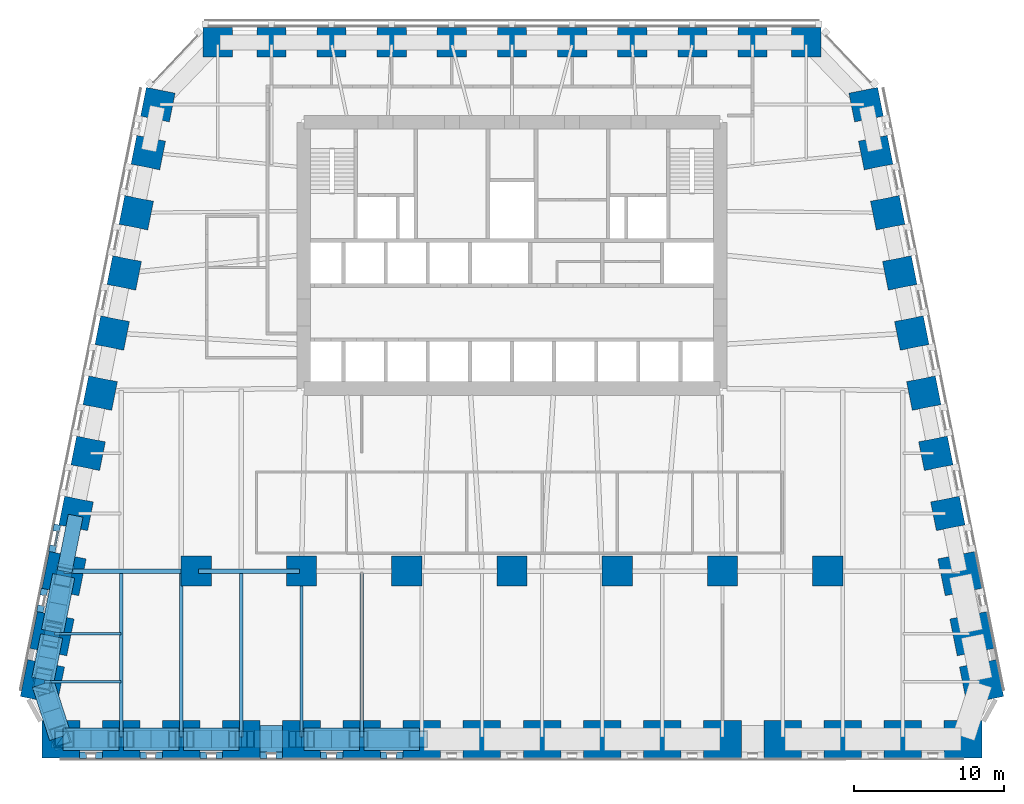
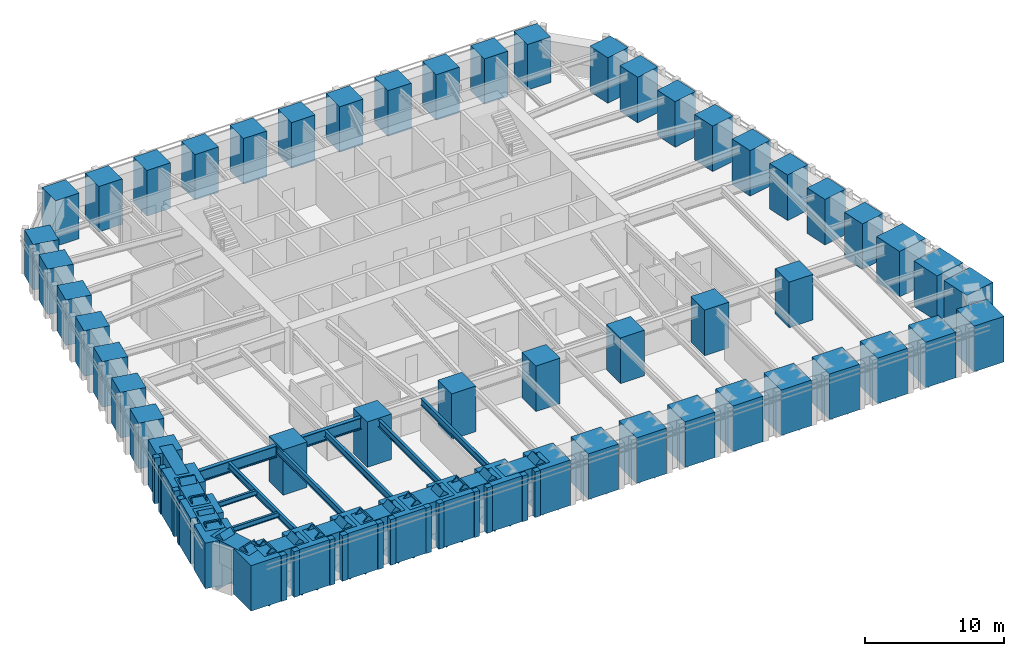
# One storey, part 1 of 16: 56 columns, 34 members, 19 beams, 8 elements without a shape of their own.
"""IFC4 building model written with IfcOpenShell, lengths in metres."""

from ifc_helpers import new_model, si_unit, direction, frame, origin, origin_2d, place, context, subcontext, project, spatial, rectangle, hollow_rectangle, i_section, extrude, material, material_profile, profile_set, type_object, element, aggregate, save


model = new_model("IFC4")

# Units and contexts
model_context = context("Model", 3, precision=1e-05, world=origin(), true_north=direction((0.0, 1.0)))
body_context = subcontext(model_context, "Body", "Model", "MODEL_VIEW")
ifc_project = project(units=[si_unit("LENGTHUNIT", "METRE"), si_unit("AREAUNIT", "SQUARE_METRE"), si_unit("VOLUMEUNIT", "CUBIC_METRE"), si_unit("PLANEANGLEUNIT", "RADIAN"), si_unit("MASSUNIT", "GRAM", prefix="KILO")], contexts=[model_context])

# Site, building, storey
site_placement = place(None, origin())
site = spatial("IfcSite", under=ifc_project, at=site_placement, CompositionType="ELEMENT")
building_placement = place(site_placement, origin())
building = spatial("IfcBuilding", under=site, at=building_placement, Name="Isbrekke Arena Tower", CompositionType="ELEMENT")
storey_placement = place(building_placement, frame((0.0, 0.0, 32.0)))
storey = spatial("IfcBuildingStorey", under=building, at=storey_placement, Name="L05", CompositionType="ELEMENT", Elevation=32.0)

# Columns
ifc_material_1 = material(Name="Concrete B90 (C90/105)", Category="concrete")
ifc_material_profile_1 = material_profile(ifc_material_1, rectangle(XDim=2.0, YDim=2.0, at=origin_2d()), Name="RC 2000x2000")
ifc_profile_set_1 = profile_set([ifc_material_profile_1], Name="Concrete B90 (C90/105)")
column_type_1 = type_object("IfcColumnType", Name="C11 RC 2000 x 2000", PredefinedType="COLUMN", material=ifc_profile_set_1)
for number, where, z_axis, x_axis, name in (
    (1, (-21.0, -6.0, 0.0), (0.0, 0.0, 1.0), (1.0, 0.0, 0.0), "C11 I01"),
    (2, (-14.0, -6.0, 0.0), (0.0, 0.0, 1.0), (1.0, 0.0, 0.0), "C11 I02"),
    (3, (-7.0, -6.0, 0.0), (0.0, 0.0, 1.0), (1.0, 0.0, 0.0), "C11 I03"),
    (4, (0.0, -6.0, 0.0), (0.0, 0.0, 1.0), (1.0, 0.0, 0.0), "C11 I04"),
    (5, (7.0, -6.0, 0.0), (0.0, 0.0, 1.0), (1.0, 0.0, 0.0), "C11 I05"),
    (6, (14.0, -6.0, 0.0), (0.0, 0.0, 1.0), (1.0, 0.0, 0.0), "C11 I06"),
    (7, (21.0, -6.0, 0.0), (0.0, 0.0, 1.0), (1.0, 0.0, 0.0), "C11 I07"),
):
    element("IfcColumn", number, at=place(storey_placement, frame(where, z_axis=z_axis, x_axis=x_axis)), inside=storey, type_object=column_type_1, Name=name, PredefinedType="COLUMN", context=body_context, shape_type="SweptSolid", body=[
        extrude(rectangle(XDim=2.0, YDim=2.0, at=origin_2d()), origin(), (0.0, 0.0, 1.0), 4.0),
    ])
ifc_material_2 = material(Name="Concrete B90 (C90/105)", Category="concrete")
ifc_material_profile_2 = material_profile(ifc_material_2, rectangle(XDim=1.949951171875, YDim=1.949951171875, at=origin_2d()), Name="RC 1950x1950")
ifc_profile_set_2 = profile_set([ifc_material_profile_2], Name="Concrete B90 (C90/105)")
column_type_2 = type_object("IfcColumnType", Name="C2 RC 1950 x 1950", PredefinedType="COLUMN", material=ifc_profile_set_2)
for number, where, z_axis, x_axis, name in (
    (8, (28.990966796875, -2.161865234375, 0.0), (0.0, 0.0, 1.0), (-0.196116135138, 0.980580675691, 0.0), "C2 E04"),
    (9, (28.19091796875, 1.838134765625, 0.0), (0.0, 0.0, 1.0), (-0.196116135138, 0.980580675691, 0.0), "C2 E05"),
    (10, (27.39111328125, 5.838134765625, 0.0), (0.0, 0.0, 1.0), (-0.196116135138, 0.980580675691, 0.0), "C2 E06"),
    (11, (26.591064453125, 9.838134765625, 0.0), (0.0, 0.0, 1.0), (-0.196116135138, 0.980580675691, 0.0), "C2 E07"),
    (12, (25.791015625, 13.838134765625, 0.0), (0.0, 0.0, 1.0), (-0.196116135138, 0.980580675691, 0.0), "C2 E08"),
    (13, (24.990966796875, 17.838134765625, 0.0), (0.0, 0.0, 1.0), (-0.196116135138, 0.980580675691, 0.0), "C2 E09"),
    (14, (24.19091796875, 21.838134765625, 0.0), (0.0, 0.0, 1.0), (-0.196116135138, 0.980580675691, 0.0), "C2 E10"),
    (15, (23.552734375, 25.029296875, 0.0), (0.0, 0.0, 1.0), (-0.196116135138, 0.980580675691, 0.0), "C2 E11"),
    (16, (19.574951171875, 29.175048828125, 0.0), (0.0, 0.0, 1.0), (-1.0, 0.0, 0.0), "C2 N01"),
    (17, (16.0, 29.175048828125, 0.0), (0.0, 0.0, 1.0), (-1.0, 0.0, 0.0), "C2 N02"),
    (18, (12.0, 29.175048828125, 0.0), (0.0, 0.0, 1.0), (-1.0, 0.0, 0.0), "C2 N03"),
    (19, (8.0, 29.175048828125, 0.0), (0.0, 0.0, 1.0), (-1.0, 0.0, 0.0), "C2 N04"),
    (20, (4.0, 29.175048828125, 0.0), (0.0, 0.0, 1.0), (-1.0, 0.0, 0.0), "C2 N05"),
    (21, (0.0, 29.175048828125, 0.0), (0.0, 0.0, 1.0), (-1.0, 0.0, 0.0), "C2 N06"),
    (22, (-4.0, 29.175048828125, 0.0), (0.0, 0.0, 1.0), (-1.0, 0.0, 0.0), "C2 N07"),
    (23, (-8.0, 29.175048828125, 0.0), (0.0, 0.0, 1.0), (-1.0, 0.0, 0.0), "C2 N08"),
    (24, (-12.0, 29.175048828125, 0.0), (0.0, 0.0, 1.0), (-1.0, 0.0, 0.0), "C2 N09"),
    (25, (-16.0, 29.175048828125, 0.0), (0.0, 0.0, 1.0), (-1.0, 0.0, 0.0), "C2 N10"),
    (26, (-19.574951171875, 29.175048828125, 0.0), (0.0, 0.0, 1.0), (-1.0, 0.0, 0.0), "C2 N11"),
    (27, (-23.552734375, 25.029296875, 0.0), (0.0, 0.0, 1.0), (-0.196116135138, -0.980580675691, 0.0), "C2 W01"),
    (28, (-24.19091796875, 21.838134765625, 0.0), (0.0, 0.0, 1.0), (-0.196116135138, -0.980580675691, 0.0), "C2 W02"),
    (29, (-24.990966796875, 17.838134765625, 0.0), (0.0, 0.0, 1.0), (-0.196116135138, -0.980580675691, 0.0), "C2 W03"),
    (30, (-25.791015625, 13.838134765625, 0.0), (0.0, 0.0, 1.0), (-0.196116135138, -0.980580675691, 0.0), "C2 W04"),
    (31, (-26.591064453125, 9.838134765625, 0.0), (0.0, 0.0, 1.0), (-0.196116135138, -0.980580675691, 0.0), "C2 W05"),
    (32, (-27.39111328125, 5.838134765625, 0.0), (0.0, 0.0, 1.0), (-0.196116135138, -0.980580675691, 0.0), "C2 W06"),
    (33, (-28.19091796875, 1.838134765625, 0.0), (0.0, 0.0, 1.0), (-0.196116135138, -0.980580675691, 0.0), "C2 W07"),
    (34, (-28.990966796875, -2.161865234375, 0.0), (0.0, 0.0, 1.0), (-0.196116135138, -0.980580675691, 0.0), "C2 W08"),
):
    element("IfcColumn", number, at=place(storey_placement, frame(where, z_axis=z_axis, x_axis=x_axis)), inside=storey, type_object=column_type_2, Name=name, PredefinedType="COLUMN", context=body_context, shape_type="SweptSolid", body=[
        extrude(rectangle(XDim=1.949951171875, YDim=1.949951171875, at=origin_2d()), origin(), (0.0, 0.0, 1.0), 4.0),
    ])
ifc_material_3 = material(Name="Concrete B90 (C90/105)", Category="concrete")
ifc_material_profile_3 = material_profile(ifc_material_3, rectangle(XDim=2.5, YDim=2.5, at=origin_2d()), Name="RC 2500x2500")
ifc_profile_set_3 = profile_set([ifc_material_profile_3], Name="Concrete B90 (C90/105)")
column_type_3 = type_object("IfcColumnType", Name="C20 RC 2500 x 2500", PredefinedType="COLUMN", material=ifc_profile_set_3)
for number, where, z_axis, x_axis, name in (
    (35, (-30.0, -17.175048828125, 0.0), (0.0, 0.0, 1.0), (1.0, 0.0, 0.0), "C20 S01"),
    (36, (-26.0, -17.175048828125, 0.0), (0.0, 0.0, 1.0), (1.0, 0.0, 0.0), "C20 S02"),
    (37, (-22.0, -17.175048828125, 0.0), (0.0, 0.0, 1.0), (1.0, 0.0, 0.0), "C20 S03"),
    (38, (-18.0, -17.175048828125, 0.0), (0.0, 0.0, 1.0), (1.0, 0.0, 0.0), "C20 S04"),
    (39, (-14.0, -17.175048828125, 0.0), (0.0, 0.0, 1.0), (1.0, 0.0, 0.0), "C20 S05"),
    (40, (-10.0, -17.175048828125, 0.0), (0.0, 0.0, 1.0), (1.0, 0.0, 0.0), "C20 S06"),
    (41, (-6.0, -17.175048828125, 0.0), (0.0, 0.0, 1.0), (1.0, 0.0, 0.0), "C20 S07"),
    (42, (-2.0, -17.175048828125, 0.0), (0.0, 0.0, 1.0), (1.0, 0.0, 0.0), "C20 S08"),
    (43, (2.0, -17.175048828125, 0.0), (0.0, 0.0, 1.0), (1.0, 0.0, 0.0), "C20 S09"),
    (44, (6.0, -17.175048828125, 0.0), (0.0, 0.0, 1.0), (1.0, 0.0, 0.0), "C20 S10"),
    (45, (10.0, -17.175048828125, 0.0), (0.0, 0.0, 1.0), (1.0, 0.0, 0.0), "C20 S11"),
    (46, (14.0, -17.175048828125, 0.0), (0.0, 0.0, 1.0), (1.0, 0.0, 0.0), "C20 S12"),
    (47, (18.0, -17.175048828125, 0.0), (0.0, 0.0, 1.0), (1.0, 0.0, 0.0), "C20 S13"),
    (48, (22.0, -17.175048828125, 0.0), (0.0, 0.0, 1.0), (1.0, 0.0, 0.0), "C20 S14"),
    (49, (26.0, -17.175048828125, 0.0), (0.0, 0.0, 1.0), (1.0, 0.0, 0.0), "C20 S15"),
    (50, (30.0, -17.175048828125, 0.0), (0.0, 0.0, 1.0), (1.0, 0.0, 0.0), "C20 S16"),
    (51, (31.229248046875, -13.352783203125, 0.0), (0.0, 0.0, 1.0), (-0.196116135138, 0.980580675691, 0.0), "C20 E01"),
    (52, (30.591064453125, -10.161865234375, 0.0), (0.0, 0.0, 1.0), (-0.196116135138, 0.980580675691, 0.0), "C20 E02"),
    (53, (29.791015625, -6.161865234375, 0.0), (0.0, 0.0, 1.0), (-0.196116135138, 0.980580675691, 0.0), "C20 E03"),
    (54, (-29.791015625, -6.161865234375, 0.0), (0.0, 0.0, 1.0), (-0.196116135138, -0.980580675691, 0.0), "C20 W09"),
    (55, (-30.591064453125, -10.161865234375, 0.0), (0.0, 0.0, 1.0), (-0.196116135138, -0.980580675691, 0.0), "C20 W10"),
    (56, (-31.229248046875, -13.352783203125, 0.0), (0.0, 0.0, 1.0), (-0.196116135138, -0.980580675691, 0.0), "C20 W11"),
):
    element("IfcColumn", number, at=place(storey_placement, frame(where, z_axis=z_axis, x_axis=x_axis)), inside=storey, type_object=column_type_3, Name=name, PredefinedType="COLUMN", context=body_context, shape_type="SweptSolid", body=[
        extrude(rectangle(XDim=2.5, YDim=2.5, at=origin_2d()), origin(), (0.0, 0.0, 1.0), 4.0),
    ])

# Beams
ifc_material_4 = material(Name="Steel S355", Category="steel")
ifc_material_profile_4 = material_profile(ifc_material_4, i_section(OverallWidth=0.219970703125, OverallDepth=0.60009765625, WebThickness=0.011962890625, FlangeThickness=0.01904296875, FilletRadius=0.02392578125, at=origin_2d()), Name="IPE 600")
ifc_profile_set_4 = profile_set([ifc_material_profile_4], Name="Steel S355")
beam_type_1 = type_object("IfcBeamType", Name="B1 IPE 600", PredefinedType="BEAM", material=ifc_profile_set_4)
for number, where, z_axis, x_axis, name in (
    (57, (-26.0, -17.02490234375, 3.550048828125), (0.0, 1.0, 0.0), (-1.0, 0.0, 0.0), "B1 beam S-S02 L05"),
    (58, (-22.0, -17.02490234375, 3.550048828125), (0.0, 1.0, 0.0), (-1.0, 0.0, 0.0), "B1 beam S-S03 L05"),
    (59, (-18.0, -17.02490234375, 3.550048828125), (0.0, 1.0, 0.0), (-1.0, 0.0, 0.0), "B1 beam S-S04 L05"),
):
    element("IfcBeam", number, at=place(storey_placement, frame(where, z_axis=z_axis, x_axis=x_axis)), inside=storey, type_object=beam_type_1, Name=name, PredefinedType="BEAM", context=body_context, shape_type="SweptSolid", body=[
        extrude(i_section(OverallWidth=0.219970703125, OverallDepth=0.60009765625, WebThickness=0.011962890625, FlangeThickness=0.01904296875, FilletRadius=0.02392578125, at=origin_2d()), origin(), (0.0, 0.0, 1.0), 10.8740234375),
    ])
beam_1_placement = place(storey_placement, frame((-14.0, -17.02490234375, 3.550048828125), z_axis=(0.0, 1.0, 0.0), x_axis=(-1.0, 0.0, 0.0)))
element("IfcBeam", 60, at=beam_1_placement, inside=storey, type_object=beam_type_1, Name="B1 beam S-S05 L05", PredefinedType="BEAM", context=body_context, shape_type="SweptSolid", body=[
    extrude(i_section(OverallWidth=0.219970703125, OverallDepth=0.60009765625, WebThickness=0.011962890625, FlangeThickness=0.01904296875, FilletRadius=0.02392578125, at=origin_2d()), origin(), (0.0, 0.0, 1.0), 10.875),
])
beam_2_placement = place(storey_placement, frame((-10.0, -17.02490234375, 3.550048828125), z_axis=(0.0, 1.0, 0.0), x_axis=(-1.0, 0.0, 0.0)))
element("IfcBeam", 61, at=beam_2_placement, inside=storey, type_object=beam_type_1, Name="B1 beam S-S06 L05", PredefinedType="BEAM", context=body_context, shape_type="SweptSolid", body=[
    extrude(i_section(OverallWidth=0.219970703125, OverallDepth=0.60009765625, WebThickness=0.011962890625, FlangeThickness=0.01904296875, FilletRadius=0.02392578125, at=origin_2d()), origin(), (0.0, 0.0, 1.0), 10.8740234375),
])
ifc_material_5 = material(Name="Steel S355", Category="steel")
ifc_material_profile_5 = material_profile(ifc_material_5, i_section(OverallWidth=0.18994140625, OverallDepth=0.449951171875, WebThickness=0.009521484375, FlangeThickness=0.0146484375, FilletRadius=0.02099609375, at=origin_2d()), Name="IPE 450")
ifc_profile_set_5 = profile_set([ifc_material_profile_5], Name="Steel S355")
beam_type_2 = type_object("IfcBeamType", Name="B2 IPE 450", PredefinedType="BEAM", material=ifc_profile_set_5)
beam_3_placement = place(storey_placement, frame((-30.44091796875, -10.161865234375, 3.625), z_axis=(1.0, 0.0, 0.0), x_axis=(0.0, 1.0, 0.0)))
element("IfcBeam", 62, at=beam_3_placement, inside=storey, type_object=beam_type_2, Name="B2 beam E-W10 L05", PredefinedType="BEAM", context=body_context, shape_type="SweptSolid", body=[
    extrude(i_section(OverallWidth=0.18994140625, OverallDepth=0.449951171875, WebThickness=0.009521484375, FlangeThickness=0.0146484375, FilletRadius=0.02099609375, at=origin_2d()), origin(), (0.0, 0.0, 1.0), 4.44091796875),
])
beam_4_placement = place(storey_placement, frame((-31.079345703125, -13.352783203125, 3.625), z_axis=(1.0, 0.0, 0.0), x_axis=(0.0, 1.0, 0.0)))
element("IfcBeam", 63, at=beam_4_placement, inside=storey, type_object=beam_type_2, Name="B2 beam E-W11 L05", PredefinedType="BEAM", context=body_context, shape_type="SweptSolid", body=[
    extrude(i_section(OverallWidth=0.18994140625, OverallDepth=0.449951171875, WebThickness=0.009521484375, FlangeThickness=0.0146484375, FilletRadius=0.02099609375, at=origin_2d()), origin(), (0.0, 0.0, 1.0), 5.079345703125),
])

# Curtain wall, members
ifc_material_6 = material(Name="Glazed aluminium curtain wall", Category="aluminium")
curtain_wall_type = type_object("IfcCurtainWallType", Name="CWL TOWER CURTAIN WALL LOW ZONE", PredefinedType="USERDEFINED", material=ifc_material_6)
curtain_wall_1_placement = place(storey_placement, origin())
curtain_wall_1 = element("IfcCurtainWall", 64, at=curtain_wall_1_placement, inside=storey, type_object=curtain_wall_type, Name="CWL curtain wall L05-S", ObjectType="TOWER CURTAIN WALL LOW ZONE", PredefinedType="USERDEFINED")
ifc_material_7 = material(Name="Aluminium mullion, pale brick slip cladding", Category="masonry")
ifc_material_profile_6 = material_profile(ifc_material_7, rectangle(XDim=0.449951171875, YDim=0.449951171875, at=origin_2d()), Name="PIER 450X450")
ifc_profile_set_6 = profile_set([ifc_material_profile_6], Name="Aluminium mullion, pale brick slip cladding")
member_type_1 = type_object("IfcMemberType", Name="CWL-M PIER MULLION 450 x 450", PredefinedType="MULLION", material=ifc_profile_set_6)
member_1_placement = place(storey_placement, frame((-28.527099609375, -18.25, 0.0), z_axis=(0.0, 0.0, 1.0), x_axis=(1.0, 0.0, 0.0)))
member_1 = element("IfcMember", 65, at=member_1_placement, type_object=member_type_1, Name="CWL-M mullion 1", PredefinedType="MULLION", context=body_context, shape_type="SweptSolid", body=[
    extrude(rectangle(XDim=0.449951171875, YDim=0.449951171875, at=origin_2d()), origin(), (0.0, 0.0, 1.0), 4.0),
])
member_2_placement = place(storey_placement, frame((-27.47509765625, -18.25, 0.0), z_axis=(0.0, 0.0, 1.0), x_axis=(1.0, 0.0, 0.0)))
member_2 = element("IfcMember", 66, at=member_2_placement, type_object=member_type_1, Name="CWL-M mullion 2", PredefinedType="MULLION", context=body_context, shape_type="SweptSolid", body=[
    extrude(rectangle(XDim=0.449951171875, YDim=0.449951171875, at=origin_2d()), origin(), (0.0, 0.0, 1.0), 4.0),
])
aggregate(curtain_wall_1, [member_1, member_2])

curtain_wall_2_placement = place(storey_placement, origin())
curtain_wall_2 = element("IfcCurtainWall", 67, at=curtain_wall_2_placement, inside=storey, type_object=curtain_wall_type, Name="CWL curtain wall L05-S3", ObjectType="TOWER CURTAIN WALL LOW ZONE", PredefinedType="USERDEFINED")
member_3_placement = place(storey_placement, frame((-24.52490234375, -18.25, 0.0), z_axis=(0.0, 0.0, 1.0), x_axis=(1.0, 0.0, 0.0)))
member_3 = element("IfcMember", 68, at=member_3_placement, type_object=member_type_1, Name="CWL-M mullion 1", PredefinedType="MULLION", context=body_context, shape_type="SweptSolid", body=[
    extrude(rectangle(XDim=0.449951171875, YDim=0.449951171875, at=origin_2d()), origin(), (0.0, 0.0, 1.0), 4.0),
])
member_4_placement = place(storey_placement, frame((-23.47509765625, -18.25, 0.0), z_axis=(0.0, 0.0, 1.0), x_axis=(1.0, 0.0, 0.0)))
member_4 = element("IfcMember", 69, at=member_4_placement, type_object=member_type_1, Name="CWL-M mullion 2", PredefinedType="MULLION", context=body_context, shape_type="SweptSolid", body=[
    extrude(rectangle(XDim=0.449951171875, YDim=0.449951171875, at=origin_2d()), origin(), (0.0, 0.0, 1.0), 4.0),
])
aggregate(curtain_wall_2, [member_3, member_4])

curtain_wall_3_placement = place(storey_placement, origin())
curtain_wall_3 = element("IfcCurtainWall", 70, at=curtain_wall_3_placement, inside=storey, type_object=curtain_wall_type, Name="CWL curtain wall L05-S5", ObjectType="TOWER CURTAIN WALL LOW ZONE", PredefinedType="USERDEFINED")
member_5_placement = place(storey_placement, frame((-20.52490234375, -18.25, 0.0), z_axis=(0.0, 0.0, 1.0), x_axis=(1.0, 0.0, 0.0)))
member_5 = element("IfcMember", 71, at=member_5_placement, type_object=member_type_1, Name="CWL-M mullion 1", PredefinedType="MULLION", context=body_context, shape_type="SweptSolid", body=[
    extrude(rectangle(XDim=0.449951171875, YDim=0.449951171875, at=origin_2d()), origin(), (0.0, 0.0, 1.0), 4.0),
])
member_6_placement = place(storey_placement, frame((-19.47509765625, -18.25, 0.0), z_axis=(0.0, 0.0, 1.0), x_axis=(1.0, 0.0, 0.0)))
member_6 = element("IfcMember", 72, at=member_6_placement, type_object=member_type_1, Name="CWL-M mullion 2", PredefinedType="MULLION", context=body_context, shape_type="SweptSolid", body=[
    extrude(rectangle(XDim=0.449951171875, YDim=0.449951171875, at=origin_2d()), origin(), (0.0, 0.0, 1.0), 4.0),
])
aggregate(curtain_wall_3, [member_5, member_6])

curtain_wall_4_placement = place(storey_placement, origin())
curtain_wall_4 = element("IfcCurtainWall", 73, at=curtain_wall_4_placement, inside=storey, type_object=curtain_wall_type, Name="CWL curtain wall L05-S7", ObjectType="TOWER CURTAIN WALL LOW ZONE", PredefinedType="USERDEFINED")
member_7_placement = place(storey_placement, frame((-16.52490234375, -18.25, 0.0), z_axis=(0.0, 0.0, 1.0), x_axis=(1.0, 0.0, 0.0)))
member_7 = element("IfcMember", 74, at=member_7_placement, type_object=member_type_1, Name="CWL-M mullion 1", PredefinedType="MULLION", context=body_context, shape_type="SweptSolid", body=[
    extrude(rectangle(XDim=0.449951171875, YDim=0.449951171875, at=origin_2d()), origin(), (0.0, 0.0, 1.0), 4.0),
])
member_8_placement = place(storey_placement, frame((-15.47509765625, -18.25, 0.0), z_axis=(0.0, 0.0, 1.0), x_axis=(1.0, 0.0, 0.0)))
member_8 = element("IfcMember", 75, at=member_8_placement, type_object=member_type_1, Name="CWL-M mullion 2", PredefinedType="MULLION", context=body_context, shape_type="SweptSolid", body=[
    extrude(rectangle(XDim=0.449951171875, YDim=0.449951171875, at=origin_2d()), origin(), (0.0, 0.0, 1.0), 4.0),
])
aggregate(curtain_wall_4, [member_7, member_8])

curtain_wall_5_placement = place(storey_placement, origin())
curtain_wall_5 = element("IfcCurtainWall", 76, at=curtain_wall_5_placement, inside=storey, type_object=curtain_wall_type, Name="CWL curtain wall L05-S9", ObjectType="TOWER CURTAIN WALL LOW ZONE", PredefinedType="USERDEFINED")
member_9_placement = place(storey_placement, frame((-12.52490234375, -18.25, 0.0), z_axis=(0.0, 0.0, 1.0), x_axis=(1.0, 0.0, 0.0)))
member_9 = element("IfcMember", 77, at=member_9_placement, type_object=member_type_1, Name="CWL-M mullion 1", PredefinedType="MULLION", context=body_context, shape_type="SweptSolid", body=[
    extrude(rectangle(XDim=0.449951171875, YDim=0.449951171875, at=origin_2d()), origin(), (0.0, 0.0, 1.0), 4.0),
])
member_10_placement = place(storey_placement, frame((-11.47509765625, -18.25, 0.0), z_axis=(0.0, 0.0, 1.0), x_axis=(1.0, 0.0, 0.0)))
member_10 = element("IfcMember", 78, at=member_10_placement, type_object=member_type_1, Name="CWL-M mullion 2", PredefinedType="MULLION", context=body_context, shape_type="SweptSolid", body=[
    extrude(rectangle(XDim=0.449951171875, YDim=0.449951171875, at=origin_2d()), origin(), (0.0, 0.0, 1.0), 4.0),
])
aggregate(curtain_wall_5, [member_9, member_10])

curtain_wall_6_placement = place(storey_placement, origin())
curtain_wall_6 = element("IfcCurtainWall", 79, at=curtain_wall_6_placement, inside=storey, type_object=curtain_wall_type, Name="CWL curtain wall L05-S11", ObjectType="TOWER CURTAIN WALL LOW ZONE", PredefinedType="USERDEFINED")
member_11_placement = place(storey_placement, frame((-8.52490234375, -18.25, 0.0), z_axis=(0.0, 0.0, 1.0), x_axis=(1.0, 0.0, 0.0)))
member_11 = element("IfcMember", 80, at=member_11_placement, type_object=member_type_1, Name="CWL-M mullion 1", PredefinedType="MULLION", context=body_context, shape_type="SweptSolid", body=[
    extrude(rectangle(XDim=0.449951171875, YDim=0.449951171875, at=origin_2d()), origin(), (0.0, 0.0, 1.0), 4.0),
])
member_12_placement = place(storey_placement, frame((-7.47509765625, -18.25, 0.0), z_axis=(0.0, 0.0, 1.0), x_axis=(1.0, 0.0, 0.0)))
member_12 = element("IfcMember", 81, at=member_12_placement, type_object=member_type_1, Name="CWL-M mullion 2", PredefinedType="MULLION", context=body_context, shape_type="SweptSolid", body=[
    extrude(rectangle(XDim=0.449951171875, YDim=0.449951171875, at=origin_2d()), origin(), (0.0, 0.0, 1.0), 4.0),
])
aggregate(curtain_wall_6, [member_11, member_12])

curtain_wall_7_placement = place(storey_placement, origin())
curtain_wall_7 = element("IfcCurtainWall", 82, at=curtain_wall_7_placement, inside=storey, type_object=curtain_wall_type, Name="CWL curtain wall L05-W15", ObjectType="TOWER CURTAIN WALL LOW ZONE", PredefinedType="USERDEFINED")
member_13_placement = place(storey_placement, frame((-30.280517578125, -3.127685546875, 0.0), z_axis=(0.0, 0.0, 1.0), x_axis=(-0.196116135138, -0.980580675691, 0.0)))
member_13 = element("IfcMember", 83, at=member_13_placement, type_object=member_type_1, Name="CWL-M mullion 1", PredefinedType="MULLION", context=body_context, shape_type="SweptSolid", body=[
    extrude(rectangle(XDim=0.449951171875, YDim=0.449951171875, at=origin_2d()), origin(), (0.0, 0.0, 1.0), 4.0),
])
member_14_placement = place(storey_placement, frame((-30.555908203125, -4.504638671875, 0.0), z_axis=(0.0, 0.0, 1.0), x_axis=(-0.196116135138, -0.980580675691, 0.0)))
member_14 = element("IfcMember", 84, at=member_14_placement, type_object=member_type_1, Name="CWL-M mullion 2", PredefinedType="MULLION", context=body_context, shape_type="SweptSolid", body=[
    extrude(rectangle(XDim=0.449951171875, YDim=0.449951171875, at=origin_2d()), origin(), (0.0, 0.0, 1.0), 4.0),
])

curtain_wall_8_placement = place(storey_placement, origin())
curtain_wall_8 = element("IfcCurtainWall", 85, at=curtain_wall_8_placement, inside=storey, type_object=curtain_wall_type, Name="CWL curtain wall L05-W17", ObjectType="TOWER CURTAIN WALL LOW ZONE", PredefinedType="USERDEFINED")
member_15_placement = place(storey_placement, frame((-31.134521484375, -7.397216796875, 0.0), z_axis=(0.0, 0.0, 1.0), x_axis=(-0.196116135138, -0.980580675691, 0.0)))
member_15 = element("IfcMember", 86, at=member_15_placement, type_object=member_type_1, Name="CWL-M mullion 1", PredefinedType="MULLION", context=body_context, shape_type="SweptSolid", body=[
    extrude(rectangle(XDim=0.449951171875, YDim=0.449951171875, at=origin_2d()), origin(), (0.0, 0.0, 1.0), 4.0),
])
member_16_placement = place(storey_placement, frame((-31.35595703125, -8.504638671875, 0.0), z_axis=(0.0, 0.0, 1.0), x_axis=(-0.196116135138, -0.980580675691, 0.0)))
member_16 = element("IfcMember", 87, at=member_16_placement, type_object=member_type_1, Name="CWL-M mullion 2", PredefinedType="MULLION", context=body_context, shape_type="SweptSolid", body=[
    extrude(rectangle(XDim=0.449951171875, YDim=0.449951171875, at=origin_2d()), origin(), (0.0, 0.0, 1.0), 4.0),
])
aggregate(curtain_wall_8, [member_15, member_16])

# Member
ifc_material_8 = material(Name="Aluminium transom", Category="aluminium")
ifc_material_profile_7 = material_profile(ifc_material_8, rectangle(XDim=0.1201171875, YDim=0.199951171875, at=origin_2d()), Name="TRANSOM 120X200")
ifc_profile_set_7 = profile_set([ifc_material_profile_7], Name="Aluminium transom")
member_type_2 = type_object("IfcMemberType", Name="CWL-T TRANSOM 120 x 200", PredefinedType="USERDEFINED", material=ifc_profile_set_7)
member_17_placement = place(storey_placement, frame((-30.2021484375, -3.372802734375, 3.0), z_axis=(-0.19596853661, -0.980610183844, 0.0), x_axis=(0.980610183844, -0.19596853661, 0.0)))
member_17 = element("IfcMember", 88, at=member_17_placement, type_object=member_type_2, Name="CWL-T transom 1", ObjectType="TRANSOM", PredefinedType="USERDEFINED", context=body_context, shape_type="SweptSolid", body=[
    extrude(rectangle(XDim=0.1201171875, YDim=0.199951171875, at=origin_2d()), origin(), (0.0, 0.0, 1.0), 0.954345703125),
])

aggregate(curtain_wall_7, [member_13, member_14, member_17])

# Beams
ifc_material_9 = material(Name="Steel S355", Category="steel")
ifc_material_profile_8 = material_profile(ifc_material_9, i_section(OverallWidth=0.302001953125, OverallDepth=1.008056640625, WebThickness=0.02099609375, FlangeThickness=0.0400390625, FilletRadius=0.030029296875, at=origin_2d()), Name="HEM 1000")
ifc_profile_set_8 = profile_set([ifc_material_profile_8], Name="Steel S355")
beam_type_3 = type_object("IfcBeamType", Name="G1 HEM 1000", PredefinedType="BEAM", material=ifc_profile_set_8)
beam_5_placement = place(storey_placement, frame((-29.791015625, -6.0, 3.345947265625), z_axis=(1.0, 0.0, 0.0), x_axis=(0.0, 1.0, 0.0)))
element("IfcBeam", 89, at=beam_5_placement, inside=storey, type_object=beam_type_3, Name="G1 beam G1-01 L05", PredefinedType="BEAM", context=body_context, shape_type="SweptSolid", body=[
    extrude(i_section(OverallWidth=0.302001953125, OverallDepth=1.008056640625, WebThickness=0.02099609375, FlangeThickness=0.0400390625, FilletRadius=0.030029296875, at=origin_2d()), origin(), (0.0, 0.0, 1.0), 8.64111328125),
])
beam_6_placement = place(storey_placement, frame((-20.85009765625, -6.0, 3.345947265625), z_axis=(1.0, 0.0, 0.0), x_axis=(0.0, 1.0, 0.0)))
element("IfcBeam", 90, at=beam_6_placement, inside=storey, type_object=beam_type_3, Name="G1 beam G1-02 L05", PredefinedType="BEAM", context=body_context, shape_type="SweptSolid", body=[
    extrude(i_section(OverallWidth=0.302001953125, OverallDepth=1.008056640625, WebThickness=0.02099609375, FlangeThickness=0.0400390625, FilletRadius=0.030029296875, at=origin_2d()), origin(), (0.0, 0.0, 1.0), 6.7001953125),
])
ifc_material_10 = material(Name="Concrete B90 (C90/105)", Category="concrete")
ifc_material_profile_9 = material_profile(ifc_material_10, rectangle(XDim=1.0, YDim=1.60009765625, at=origin_2d()), Name="RC 1000x1600")
ifc_profile_set_9 = profile_set([ifc_material_profile_9], Name="Concrete B90 (C90/105)")
beam_type_4 = type_object("IfcBeamType", Name="SB1 RC 1000 x 1600", PredefinedType="SPANDREL", material=ifc_profile_set_9)
beam_7_placement = place(storey_placement, frame((-29.0205078125, -2.308837890625, 3.199951171875), z_axis=(-0.196128558387, -0.980578190959, 0.0), x_axis=(0.980578190959, -0.196128558387, 0.0)))
element("IfcBeam", 91, at=beam_7_placement, inside=storey, type_object=beam_type_4, Name="SB1 spandrel W08-W09 L05", PredefinedType="SPANDREL", context=body_context, shape_type="SweptSolid", body=[
    extrude(rectangle(XDim=1.0, YDim=1.60009765625, at=origin_2d()), origin(), (0.0, 0.0, 1.0), 3.779296875),
])
ifc_material_11 = material(Name="Concrete B90 (C90/105)", Category="concrete")
ifc_material_profile_10 = material_profile(ifc_material_11, rectangle(XDim=1.5, YDim=2.0, at=origin_2d()), Name="RC 1500x2000")
ifc_profile_set_10 = profile_set([ifc_material_profile_10], Name="Concrete B90 (C90/105)")
beam_type_5 = type_object("IfcBeamType", Name="SB6 RC 1500 x 2000", PredefinedType="SPANDREL", material=ifc_profile_set_10)
for number, where, z_axis, x_axis, name in (
    (92, (-29.85009765625, -17.175048828125, 3.0), (1.0, 0.0, 0.0), (0.0, 1.0, 0.0), "SB6 spandrel S01-S02 L05"),
    (93, (-25.85009765625, -17.175048828125, 3.0), (1.0, 0.0, 0.0), (0.0, 1.0, 0.0), "SB6 spandrel S02-S03 L05"),
    (94, (-21.85009765625, -17.175048828125, 3.0), (1.0, 0.0, 0.0), (0.0, 1.0, 0.0), "SB6 spandrel S03-S04 L05"),
    (95, (-13.85009765625, -17.175048828125, 3.0), (1.0, 0.0, 0.0), (0.0, 1.0, 0.0), "SB6 spandrel S05-S06 L05"),
    (96, (-9.85009765625, -17.175048828125, 3.0), (1.0, 0.0, 0.0), (0.0, 1.0, 0.0), "SB6 spandrel S06-S07 L05"),
):
    element("IfcBeam", number, at=place(storey_placement, frame(where, z_axis=z_axis, x_axis=x_axis)), inside=storey, type_object=beam_type_5, Name=name, PredefinedType="SPANDREL", context=body_context, shape_type="SweptSolid", body=[
        extrude(rectangle(XDim=1.5, YDim=2.0, at=origin_2d()), origin(), (0.0, 0.0, 1.0), 3.7001953125),
    ])
beam_8_placement = place(storey_placement, frame((-29.820556640625, -6.308837890625, 3.0), z_axis=(-0.1960664412, -0.980590613169, 0.0), x_axis=(0.980590613169, -0.1960664412, 0.0)))
element("IfcBeam", 97, at=beam_8_placement, inside=storey, type_object=beam_type_5, Name="SB6 spandrel W09-W10 L05", PredefinedType="SPANDREL", context=body_context, shape_type="SweptSolid", body=[
    extrude(rectangle(XDim=1.5, YDim=2.0, at=origin_2d()), origin(), (0.0, 0.0, 1.0), 3.779052734375),
])
beam_9_placement = place(storey_placement, frame((-30.620361328125, -10.308837890625, 3.0), z_axis=(-0.196100243168, -0.980583853951, 0.0), x_axis=(0.980583853951, -0.196100243168, 0.0)))
element("IfcBeam", 98, at=beam_9_placement, inside=storey, type_object=beam_type_5, Name="SB6 spandrel W10-W11 L05", PredefinedType="SPANDREL", context=body_context, shape_type="SweptSolid", body=[
    extrude(rectangle(XDim=1.5, YDim=2.0, at=origin_2d()), origin(), (0.0, 0.0, 1.0), 2.954345703125),
])
beam_10_placement = place(storey_placement, frame((-31.183349609375, -13.49560546875, 3.0), z_axis=(0.306175101476, -0.951975213562, 0.0), x_axis=(0.951975213562, 0.306175101476, 0.0)))
element("IfcBeam", 99, at=beam_10_placement, inside=storey, type_object=beam_type_5, Name="SB6 spandrel W11-S01 L05", PredefinedType="SPANDREL", context=body_context, shape_type="SweptSolid", body=[
    extrude(rectangle(XDim=1.5, YDim=2.0, at=origin_2d()), origin(), (0.0, 0.0, 1.0), 3.715087890625),
])
ifc_material_12 = material(Name="Concrete B90 (C90/105)", Category="concrete")
ifc_material_profile_11 = material_profile(ifc_material_12, rectangle(XDim=1.800048828125, YDim=2.800048828125, at=origin_2d()), Name="RC 1800x2800")
ifc_profile_set_11 = profile_set([ifc_material_profile_11], Name="Concrete B90 (C90/105)")
beam_type_6 = type_object("IfcBeamType", Name="SB7 RC 1800 x 2800", PredefinedType="SPANDREL", material=ifc_profile_set_11)
beam_11_placement = place(storey_placement, frame((-17.85009765625, -17.175048828125, 2.60009765625), z_axis=(1.0, 0.0, 0.0), x_axis=(0.0, 1.0, 0.0)))
element("IfcBeam", 100, at=beam_11_placement, inside=storey, type_object=beam_type_6, Name="SB7 spandrel S04-S05 L05", PredefinedType="SPANDREL", context=body_context, shape_type="SweptSolid", body=[
    extrude(rectangle(XDim=1.800048828125, YDim=2.800048828125, at=origin_2d()), origin(), (0.0, 0.0, 1.0), 3.7001953125),
])

# Members
ifc_material_13 = material(Name="Steel S460", Category="steel")
ifc_material_profile_12 = material_profile(ifc_material_13, hollow_rectangle(XDim=1.199951171875, YDim=1.800048828125, WallThickness=0.090087890625, at=origin_2d()), Name="BOX 1200x1800x90")
ifc_profile_set_12 = profile_set([ifc_material_profile_12], Name="Steel S460")
member_type_3 = type_object("IfcMemberType", Name="TB1 BOX 1200x1800x90", PredefinedType="BRACE", material=ifc_profile_set_12)
for number, where, z_axis, x_axis, name in (
    (101, (-29.791015625, -6.161865234375, 0.0), (-0.140032438362, -0.700117005481, 0.700162191812), (0.980578241477, -0.196128305817, 0.0), "TB1 transfer brace W09-W10 L05 A"),
    (102, (-29.83447265625, -6.37890625, 3.782958984375), (-0.140028008403, -0.700140042014, -0.700140042014), (0.980580675691, -0.196116135138, 0.0), "TB1 transfer brace W09-W10 L05 B"),
):
    element("IfcMember", number, at=place(storey_placement, frame(where, z_axis=z_axis, x_axis=x_axis)), inside=storey, type_object=member_type_3, Name=name, PredefinedType="BRACE", context=body_context, shape_type="SweptSolid", body=[
        extrude(hollow_rectangle(XDim=1.199951171875, YDim=1.800048828125, WallThickness=0.090087890625, at=origin_2d()), origin(), (0.0, 0.0, 1.0), 5.403076171875),
    ])
for number, where, z_axis, x_axis, name in (
    (103, (-30.591064453125, -10.161865234375, 0.0), (-0.123773292261, -0.618815796836, 0.775723650348), (0.980577587758, -0.196131574168, 0.0), "TB1 transfer brace W10-W11 L05 A"),
    (104, (-30.6328125, -10.370849609375, 3.738037109375), (-0.123773292261, -0.618815796836, -0.775723650348), (0.980577587758, -0.196131574168, 0.0), "TB1 transfer brace W10-W11 L05 B"),
):
    element("IfcMember", number, at=place(storey_placement, frame(where, z_axis=z_axis, x_axis=x_axis)), inside=storey, type_object=member_type_3, Name=name, PredefinedType="BRACE", context=body_context, shape_type="SweptSolid", body=[
        extrude(hollow_rectangle(XDim=1.199951171875, YDim=1.800048828125, WallThickness=0.090087890625, at=origin_2d()), origin(), (0.0, 0.0, 1.0), 4.81884765625),
    ])
for number, where, z_axis, x_axis, name in (
    (105, (-31.229248046875, -13.352783203125, 0.0), (0.216888895255, -0.67441597421, 0.705777798493), (0.951982356028, 0.306152892868, 0.0), "TB1 transfer brace W11-S01 L05 A"),
    (106, (-31.16162109375, -13.56298828125, 3.780029296875), (0.216888895255, -0.67441597421, -0.705777798493), (0.951982356028, 0.306152892868, 0.0), "TB1 transfer brace W11-S01 L05 B"),
):
    element("IfcMember", number, at=place(storey_placement, frame(where, z_axis=z_axis, x_axis=x_axis)), inside=storey, type_object=member_type_3, Name=name, PredefinedType="BRACE", context=body_context, shape_type="SweptSolid", body=[
        extrude(hollow_rectangle(XDim=1.199951171875, YDim=1.800048828125, WallThickness=0.090087890625, at=origin_2d()), origin(), (0.0, 0.0, 1.0), 5.355712890625),
    ])
for number, where, z_axis, x_axis, name in (
    (107, (-30.0, -17.175048828125, 0.0), (0.707106781187, 0.0, 0.707106781187), (0.0, 1.0, 0.0), "TB1 transfer brace S01-S02 L05 A"),
    (108, (-29.779296875, -17.175048828125, 3.779296875), (0.707106781187, 0.0, -0.707106781187), (0.0, 1.0, 0.0), "TB1 transfer brace S01-S02 L05 B"),
    (109, (-26.0, -17.175048828125, 0.0), (0.707106781187, 0.0, 0.707106781187), (0.0, 1.0, 0.0), "TB1 transfer brace S02-S03 L05 A"),
    (110, (-25.779296875, -17.175048828125, 3.779296875), (0.707106781187, 0.0, -0.707106781187), (0.0, 1.0, 0.0), "TB1 transfer brace S02-S03 L05 B"),
    (111, (-22.0, -17.175048828125, 0.0), (0.707106781187, 0.0, 0.707106781187), (0.0, 1.0, 0.0), "TB1 transfer brace S03-S04 L05 A"),
    (112, (-21.779296875, -17.175048828125, 3.779296875), (0.707106781187, 0.0, -0.707106781187), (0.0, 1.0, 0.0), "TB1 transfer brace S03-S04 L05 B"),
    (113, (-18.0, -17.175048828125, 0.0), (0.707106781187, 0.0, 0.707106781187), (0.0, 1.0, 0.0), "TB1 transfer brace S04-S05 L05 A"),
    (114, (-17.779296875, -17.175048828125, 3.779296875), (0.707106781187, 0.0, -0.707106781187), (0.0, 1.0, 0.0), "TB1 transfer brace S04-S05 L05 B"),
    (115, (-14.0, -17.175048828125, 0.0), (0.707106781187, 0.0, 0.707106781187), (0.0, 1.0, 0.0), "TB1 transfer brace S05-S06 L05 A"),
    (116, (-13.779296875, -17.175048828125, 3.779296875), (0.707106781187, 0.0, -0.707106781187), (0.0, 1.0, 0.0), "TB1 transfer brace S05-S06 L05 B"),
    (117, (-10.0, -17.175048828125, 0.0), (0.707106781187, 0.0, 0.707106781187), (0.0, 1.0, 0.0), "TB1 transfer brace S06-S07 L05 A"),
):
    element("IfcMember", number, at=place(storey_placement, frame(where, z_axis=z_axis, x_axis=x_axis)), inside=storey, type_object=member_type_3, Name=name, PredefinedType="BRACE", context=body_context, shape_type="SweptSolid", body=[
        extrude(hollow_rectangle(XDim=1.199951171875, YDim=1.800048828125, WallThickness=0.090087890625, at=origin_2d()), origin(), (0.0, 0.0, 1.0), 5.3447265625),
    ])

save(model, "model.ifc")
